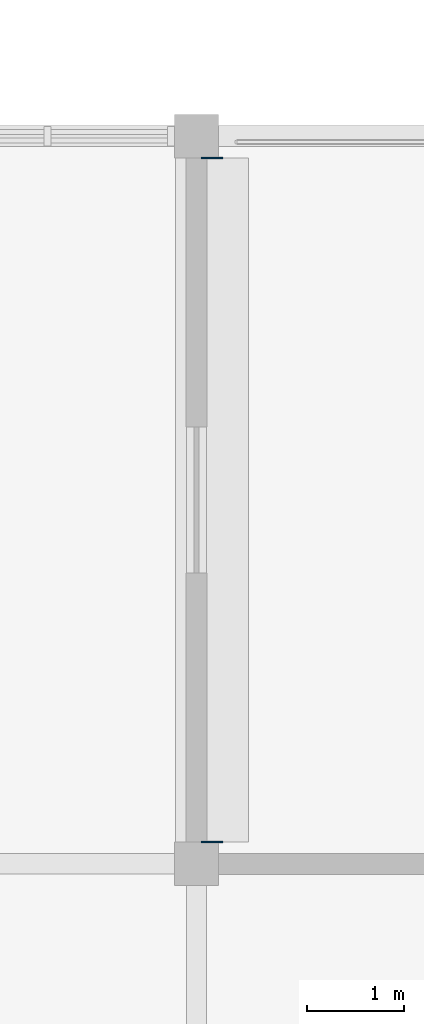
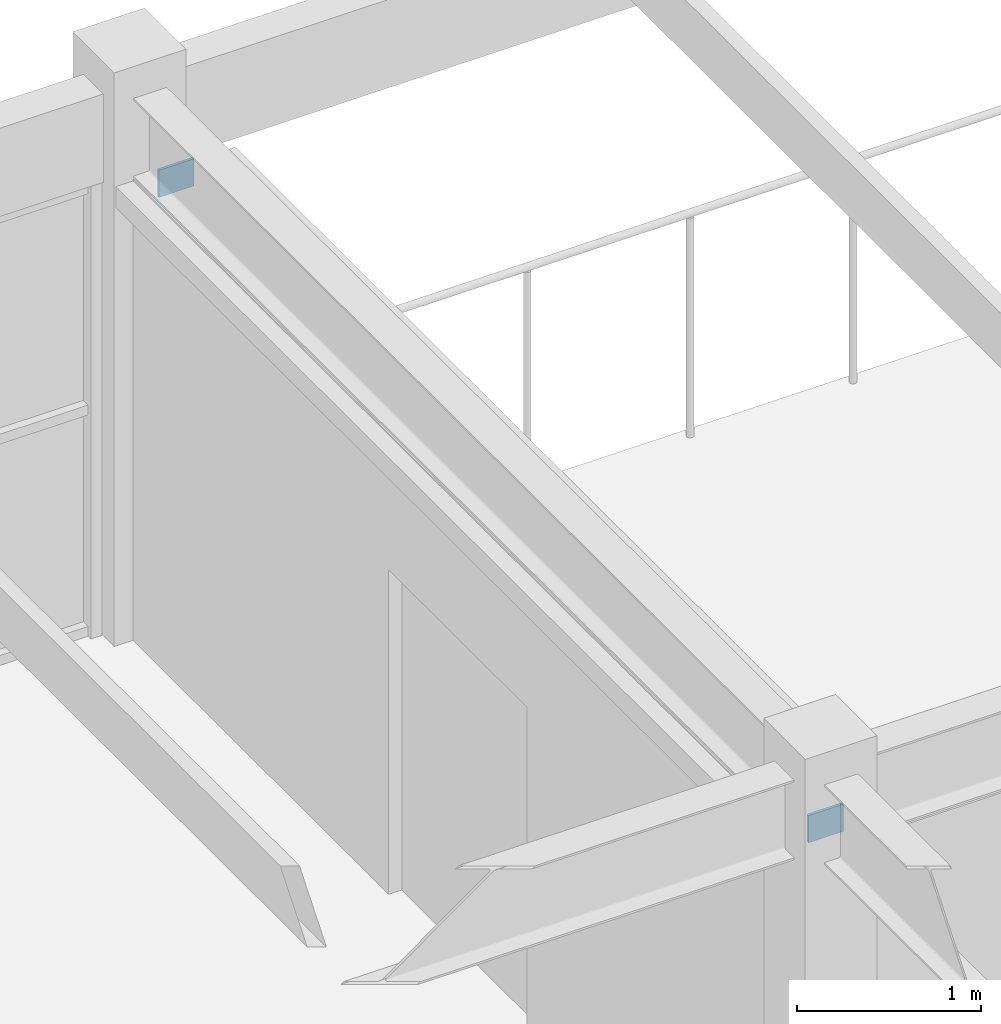
# One storey, part 32 of 45: 2 plates.
"""IFC4 building model written with IfcOpenShell, lengths in metres."""

from ifc_helpers import new_model, si_unit, direction, frame, origin, origin_2d, place, context, subcontext, project, spatial, rectangle, extrude, material, layer, layer_set, type_object, element, save


model = new_model("IFC4")

# Units and contexts
model_context = context("Model", 3, precision=1e-05, world=origin(), true_north=direction((0.0, 1.0)))
body_context = subcontext(model_context, "Body", "Model", "MODEL_VIEW")
ifc_project = project(units=[si_unit("LENGTHUNIT", "METRE"), si_unit("AREAUNIT", "SQUARE_METRE"), si_unit("VOLUMEUNIT", "CUBIC_METRE"), si_unit("PLANEANGLEUNIT", "RADIAN"), si_unit("MASSUNIT", "GRAM", prefix="KILO")], contexts=[model_context])

# Site, building, storey
site_placement = place(None, origin())
site = spatial("IfcSite", under=ifc_project, at=site_placement, CompositionType="ELEMENT")
building_placement = place(site_placement, origin())
building = spatial("IfcBuilding", under=site, at=building_placement, Name="Marnridge Secondary College", CompositionType="ELEMENT")
storey_placement = place(building_placement, frame((0.0, 0.0, 12.300048828125)))
storey = spatial("IfcBuildingStorey", under=building, at=storey_placement, Name="L03", CompositionType="ELEMENT", Elevation=12.300048828125)

# Plates
ifc_material = material(Name="Structural steel plate Grade 350 (AS/NZS 3678, fy = 350 MPa <=12mm, 340 MPa 12-20mm, 330 MPa 20-50mm)", Category="steel")
ifc_layer = layer(ifc_material, 0.02392578125)
ifc_layer_set = layer_set([ifc_layer], Name="PT-GUS-GSN2")
plate_type = type_object("IfcPlateType", Name="PT-GUS-GSN2", PredefinedType="USERDEFINED", material=ifc_layer_set)
for number, where, z_axis, x_axis, name in (
    (1, (18.159912109375, 37.27490234375, 2.8837890625), (0.0, 0.0, 1.0), (1.0, 0.0, 0.0), "Solar fin end bracket plate SFN-0026-BP1"),
    (2, (18.159912109375, 30.22509765625, 2.8837890625), (0.0, 0.0, 1.0), (1.0, 0.0, 0.0), "Solar fin end bracket plate SFN-0026-BP2"),
):
    element("IfcPlate", number, at=place(storey_placement, frame(where, z_axis=z_axis, x_axis=x_axis)), inside=storey, type_object=plate_type, Name=name, ObjectType="GUSSET PLATE", PredefinedType="USERDEFINED", context=body_context, shape_type="SweptSolid", body=[
        extrude(rectangle(XDim=0.219970703125, YDim=0.01806640625, at=origin_2d()), origin(), (0.0, 0.0, 1.0), 0.179931640625),
    ])

save(model, "model.ifc")
